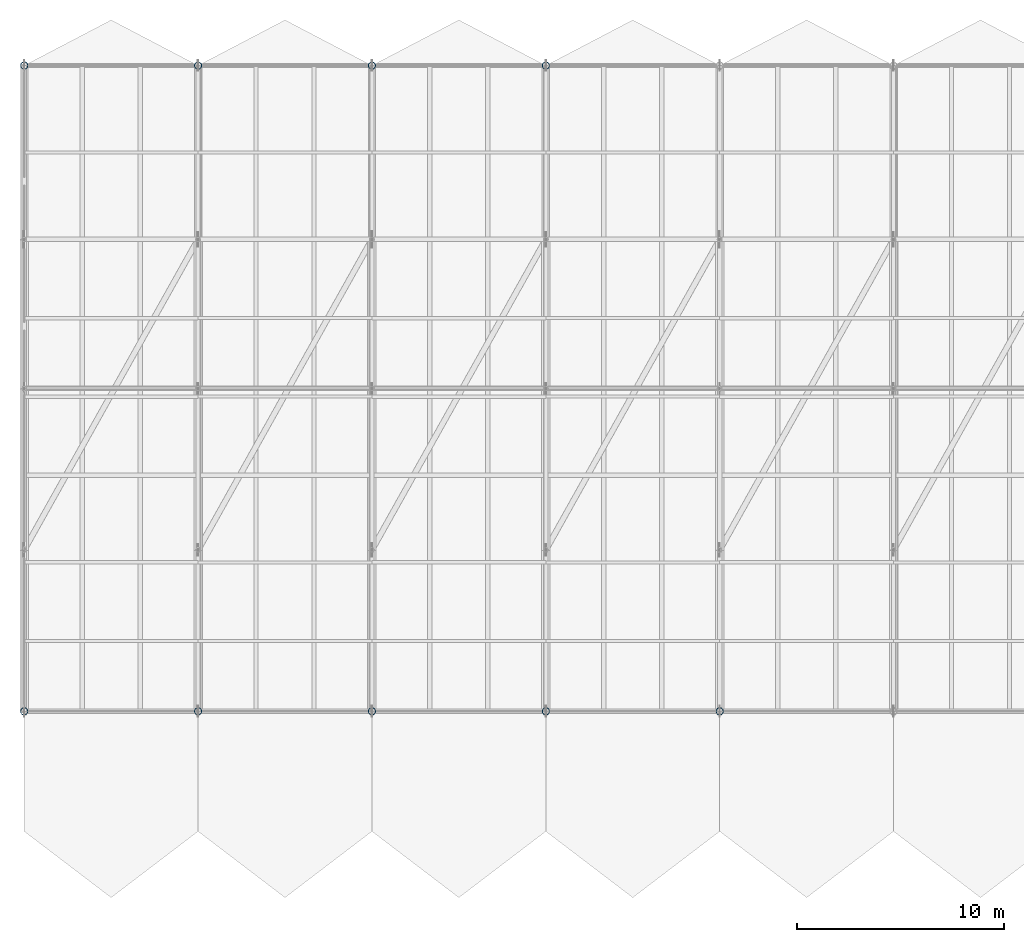
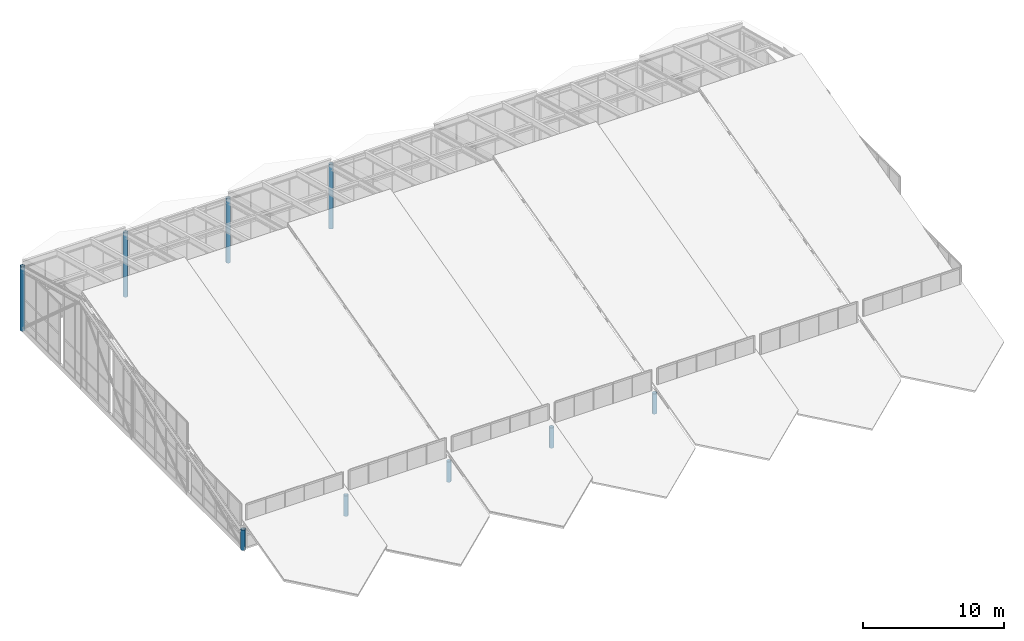
# One storey, part 1 of 43: 9 columns.
"""IFC4 building model written with IfcOpenShell, lengths in metres."""

from ifc_helpers import new_model, si_unit, direction, frame, origin, origin_2d, place, context, subcontext, project, spatial, hollow_circle, extrude, material, material_profile, profile_set, type_object, element, save


model = new_model("IFC4")

# Units and contexts
model_context = context("Model", 3, precision=1e-05, world=origin(), true_north=direction((0.0, 1.0)))
body_context = subcontext(model_context, "Body", "Model", "MODEL_VIEW")
ifc_project = project(units=[si_unit("LENGTHUNIT", "METRE"), si_unit("AREAUNIT", "SQUARE_METRE"), si_unit("VOLUMEUNIT", "CUBIC_METRE"), si_unit("PLANEANGLEUNIT", "RADIAN"), si_unit("MASSUNIT", "GRAM", prefix="KILO")], contexts=[model_context])

# Site, building, storey
site_placement = place(None, origin())
site = spatial("IfcSite", under=ifc_project, at=site_placement, CompositionType="ELEMENT")
building_placement = place(site_placement, origin())
building = spatial("IfcBuilding", under=site, at=building_placement, Name="Selat Folded Stagehouse", CompositionType="ELEMENT")
storey_placement = place(building_placement, frame((0.0, 0.0, 32.39990234375)))
storey = spatial("IfcBuildingStorey", under=building, at=storey_placement, Name="RF", CompositionType="ELEMENT", Elevation=32.39990234375)

# Columns
ifc_material = material(Name="Steel S355", Category="steel")
ifc_material_profile = material_profile(ifc_material, hollow_circle(Radius=0.177734375, WallThickness=0.01611328125, at=origin_2d()), Name="CHS 355.6x16.0")
ifc_profile_set = profile_set([ifc_material_profile], Name="Steel S355")
column_type = type_object("IfcColumnType", Name="COL-CHS-355x16", PredefinedType="COLUMN", material=ifc_profile_set)
column_1_placement = place(storey_placement, frame((8.39990234375, 23.39990234375, 0.0), z_axis=(0.0, 0.0, 1.0), x_axis=(1.0, 0.0, 0.0)))
element("IfcColumn", 1, at=column_1_placement, inside=storey, type_object=column_type, Name="RF south eave column 1", PredefinedType="COLUMN", context=body_context, shape_type="SweptSolid", body=[
    extrude(hollow_circle(Radius=0.177734375, WallThickness=0.01611328125, at=origin_2d()), origin(), (0.0, 0.0, 1.0), 1.75537109375),
])
column_2_placement = place(storey_placement, frame((8.39990234375, 54.60009765625, 0.0), z_axis=(0.0, 0.0, 1.0), x_axis=(1.0, 0.0, 0.0)))
element("IfcColumn", 2, at=column_2_placement, inside=storey, type_object=column_type, Name="RF north eave column 1", PredefinedType="COLUMN", context=body_context, shape_type="SweptSolid", body=[
    extrude(hollow_circle(Radius=0.177734375, WallThickness=0.01611328125, at=origin_2d()), origin(), (0.0, 0.0, 1.0), 5.557861328125),
])
column_3_placement = place(storey_placement, frame((16.800048828125, 23.39990234375, 0.0), z_axis=(0.0, 0.0, 1.0), x_axis=(1.0, 0.0, 0.0)))
element("IfcColumn", 3, at=column_3_placement, inside=storey, type_object=column_type, Name="RF south eave column 2", PredefinedType="COLUMN", context=body_context, shape_type="SweptSolid", body=[
    extrude(hollow_circle(Radius=0.177734375, WallThickness=0.01611328125, at=origin_2d()), origin(), (0.0, 0.0, 1.0), 1.75537109375),
])
column_4_placement = place(storey_placement, frame((16.800048828125, 54.60009765625, 0.0), z_axis=(0.0, 0.0, 1.0), x_axis=(1.0, 0.0, 0.0)))
element("IfcColumn", 4, at=column_4_placement, inside=storey, type_object=column_type, Name="RF north eave column 2", PredefinedType="COLUMN", context=body_context, shape_type="SweptSolid", body=[
    extrude(hollow_circle(Radius=0.177734375, WallThickness=0.01611328125, at=origin_2d()), origin(), (0.0, 0.0, 1.0), 5.557861328125),
])
column_5_placement = place(storey_placement, frame((25.199951171875, 23.39990234375, 0.0), z_axis=(0.0, 0.0, 1.0), x_axis=(1.0, 0.0, 0.0)))
element("IfcColumn", 5, at=column_5_placement, inside=storey, type_object=column_type, Name="RF south eave column 3", PredefinedType="COLUMN", context=body_context, shape_type="SweptSolid", body=[
    extrude(hollow_circle(Radius=0.177734375, WallThickness=0.01611328125, at=origin_2d()), origin(), (0.0, 0.0, 1.0), 1.75537109375),
])
column_6_placement = place(storey_placement, frame((25.199951171875, 54.60009765625, 0.0), z_axis=(0.0, 0.0, 1.0), x_axis=(1.0, 0.0, 0.0)))
element("IfcColumn", 6, at=column_6_placement, inside=storey, type_object=column_type, Name="RF north eave column 3", PredefinedType="COLUMN", context=body_context, shape_type="SweptSolid", body=[
    extrude(hollow_circle(Radius=0.177734375, WallThickness=0.01611328125, at=origin_2d()), origin(), (0.0, 0.0, 1.0), 5.557861328125),
])
column_7_placement = place(storey_placement, frame((33.60009765625, 23.39990234375, 0.0), z_axis=(0.0, 0.0, 1.0), x_axis=(1.0, 0.0, 0.0)))
element("IfcColumn", 7, at=column_7_placement, inside=storey, type_object=column_type, Name="RF south eave column 4", PredefinedType="COLUMN", context=body_context, shape_type="SweptSolid", body=[
    extrude(hollow_circle(Radius=0.177734375, WallThickness=0.01611328125, at=origin_2d()), origin(), (0.0, 0.0, 1.0), 1.75537109375),
])
column_8_placement = place(storey_placement, frame((33.60009765625, 54.60009765625, 0.0), z_axis=(0.0, 0.0, 1.0), x_axis=(1.0, 0.0, 0.0)))
element("IfcColumn", 8, at=column_8_placement, inside=storey, type_object=column_type, Name="RF north eave column 4", PredefinedType="COLUMN", context=body_context, shape_type="SweptSolid", body=[
    extrude(hollow_circle(Radius=0.177734375, WallThickness=0.01611328125, at=origin_2d()), origin(), (0.0, 0.0, 1.0), 5.557861328125),
])
column_9_placement = place(storey_placement, frame((42.0, 23.39990234375, 0.0), z_axis=(0.0, 0.0, 1.0), x_axis=(1.0, 0.0, 0.0)))
element("IfcColumn", 9, at=column_9_placement, inside=storey, type_object=column_type, Name="RF south eave column 5", PredefinedType="COLUMN", context=body_context, shape_type="SweptSolid", body=[
    extrude(hollow_circle(Radius=0.177734375, WallThickness=0.01611328125, at=origin_2d()), origin(), (0.0, 0.0, 1.0), 1.75537109375),
])

save(model, "model.ifc")
